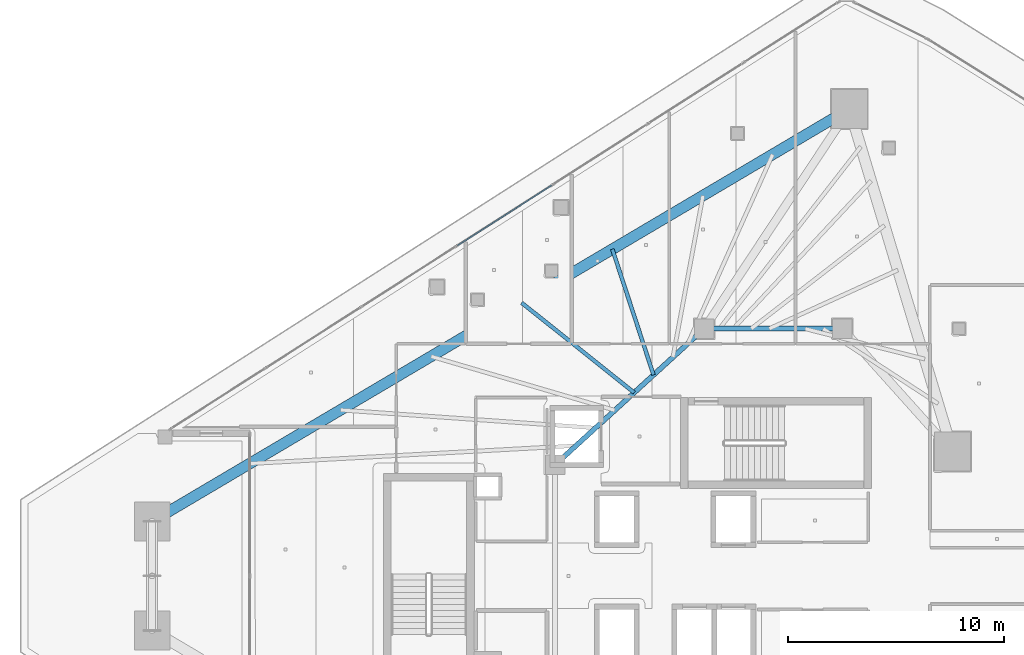
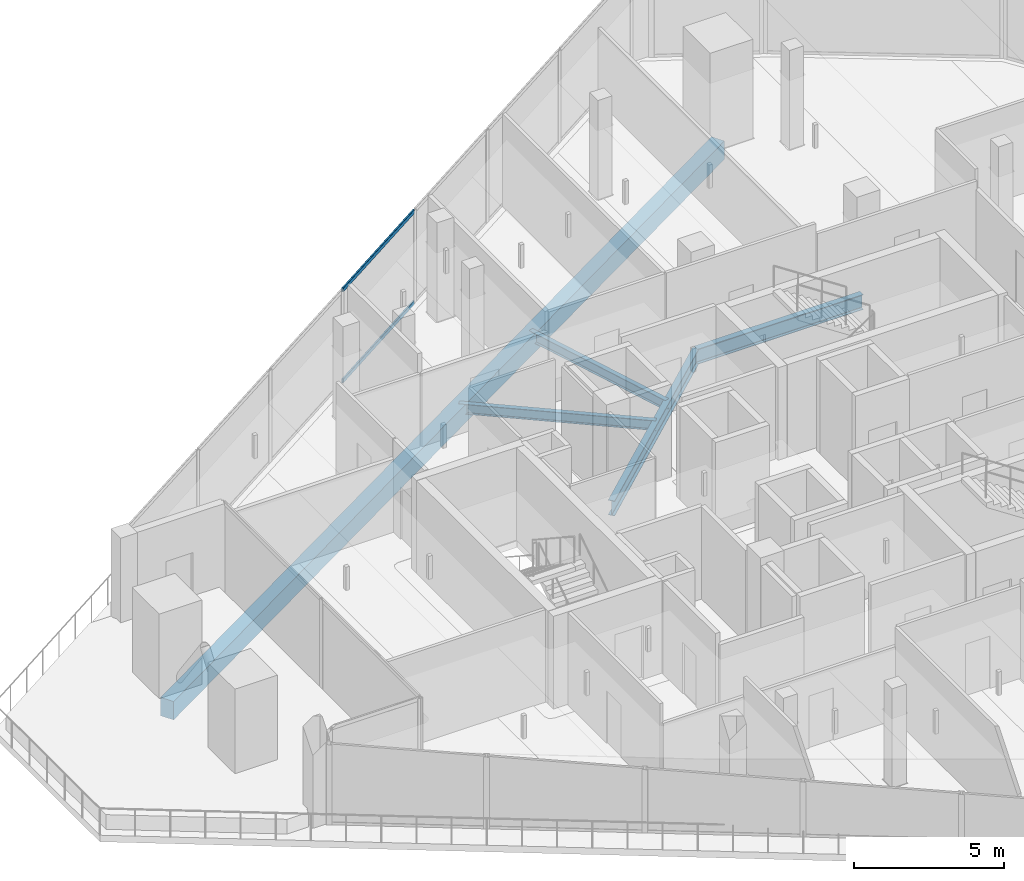
# One storey, part 18 of 36: 5 beams, 2 members, 1 element without a shape of its own.
"""IFC4 building model written with IfcOpenShell, lengths in metres."""

from ifc_helpers import new_model, si_unit, direction, frame, origin, origin_2d, place, context, subcontext, project, spatial, rectangle, hollow_rectangle, i_section, extrude, material, layer, layer_set, material_profile, profile_set, type_object, element, aggregate, save


model = new_model("IFC4")

# Units and contexts
model_context = context("Model", 3, precision=1e-05, world=origin(), true_north=direction((0.0, 1.0)))
body_context = subcontext(model_context, "Body", "Model", "MODEL_VIEW")
ifc_project = project(units=[si_unit("LENGTHUNIT", "METRE"), si_unit("AREAUNIT", "SQUARE_METRE"), si_unit("VOLUMEUNIT", "CUBIC_METRE"), si_unit("PLANEANGLEUNIT", "RADIAN"), si_unit("MASSUNIT", "GRAM", prefix="KILO")], contexts=[model_context])

# Site, building, storey
site_placement = place(None, origin())
site = spatial("IfcSite", under=ifc_project, at=site_placement, CompositionType="ELEMENT")
building_placement = place(site_placement, origin())
building = spatial("IfcBuilding", under=site, at=building_placement, Name="Qorvath Tower", CompositionType="ELEMENT")
storey_placement = place(building_placement, frame((0.0, 0.0, 229.35009765625)))
storey = spatial("IfcBuildingStorey", under=building, at=storey_placement, Name="L53", CompositionType="ELEMENT", Elevation=229.35009765625)

# Beams
ifc_material_1 = material(Name="Steel ASTM A992 Grade 50", Category="steel")
ifc_material_profile_1 = material_profile(ifc_material_1, i_section(OverallWidth=0.22998046875, OverallDepth=0.616943359375, WebThickness=0.01318359375, FlangeThickness=0.022216796875, FilletRadius=0.014892578125, at=origin_2d()), Name="W24x94")
ifc_profile_set_1 = profile_set([ifc_material_profile_1], Name="Steel ASTM A992 Grade 50")
beam_type_1 = type_object("IfcBeamType", Name="BM-FG6", PredefinedType="BEAM", material=ifc_profile_set_1)
beam_1_placement = place(storey_placement, frame((-23.60009765625, 11.449951171875, -0.57861328125), z_axis=(1.0, 0.0, 0.0), x_axis=(0.0, 1.0, 0.0)))
element("IfcBeam", 1, at=beam_1_placement, inside=storey, type_object=beam_type_1, Name="Core Ring Girder CC1-CC2 L53", PredefinedType="BEAM", context=body_context, shape_type="SweptSolid", body=[
    extrude(i_section(OverallWidth=0.22998046875, OverallDepth=0.616943359375, WebThickness=0.01318359375, FlangeThickness=0.022216796875, FilletRadius=0.014892578125, at=origin_2d()), origin(), (0.0, 0.0, 1.0), 6.400146484375),
])
beam_2_placement = place(storey_placement, frame((-30.5, 5.14990234375, -0.57861328125), z_axis=(0.73847813985, 0.6742774184, 0.0), x_axis=(-0.6742774184, 0.73847813985, 0.0)))
element("IfcBeam", 2, at=beam_2_placement, inside=storey, type_object=beam_type_1, Name="Core Ring Girder CC5-CC1 L53", PredefinedType="BEAM", context=body_context, shape_type="SweptSolid", body=[
    extrude(i_section(OverallWidth=0.22998046875, OverallDepth=0.616943359375, WebThickness=0.01318359375, FlangeThickness=0.022216796875, FilletRadius=0.014892578125, at=origin_2d()), origin(), (0.0, 0.0, 1.0), 9.343505859375),
])
ifc_material_2 = material(Name="Steel ASTM A992 Grade 50", Category="steel")
ifc_material_profile_2 = material_profile(ifc_material_2, i_section(OverallWidth=0.177978515625, OverallDepth=0.406005859375, WebThickness=0.0078125, FlangeThickness=0.0126953125, FilletRadius=0.010986328125, at=origin_2d()), Name="W16x40")
ifc_profile_set_2 = profile_set([ifc_material_profile_2], Name="Steel ASTM A992 Grade 50")
beam_type_2 = type_object("IfcBeamType", Name="BM-FJ3", PredefinedType="JOIST", material=ifc_profile_set_2)
beam_3_placement = place(storey_placement, frame((-26.843017578125, 8.489013671875, -0.472900390625), z_axis=(-0.781336553339, 0.624109918537, 0.0), x_axis=(-0.624109918537, -0.781336553339, 0.0)))
element("IfcBeam", 3, at=beam_3_placement, inside=storey, type_object=beam_type_2, Name="Composite Floor Joist NW4 L53", PredefinedType="JOIST", context=body_context, shape_type="SweptSolid", body=[
    extrude(i_section(OverallWidth=0.177978515625, OverallDepth=0.406005859375, WebThickness=0.0078125, FlangeThickness=0.0126953125, FilletRadius=0.010986328125, at=origin_2d()), origin(), (0.0, 0.0, 1.0), 6.667724609375),
])
beam_4_placement = place(storey_placement, frame((-25.946044921875, 9.30810546875, -0.472900390625), z_axis=(-0.311228747452, 0.950335028692, 0.0), x_axis=(-0.950335028692, -0.311228747452, 0.0)))
element("IfcBeam", 4, at=beam_4_placement, inside=storey, type_object=beam_type_2, Name="Composite Floor Joist NW5 L53", PredefinedType="JOIST", context=body_context, shape_type="SweptSolid", body=[
    extrude(i_section(OverallWidth=0.177978515625, OverallDepth=0.406005859375, WebThickness=0.0078125, FlangeThickness=0.0126953125, FilletRadius=0.010986328125, at=origin_2d()), origin(), (0.0, 0.0, 1.0), 6.129638671875),
])
ifc_material_3 = material(Name="Concrete C45/55", Category="concrete")
ifc_material_profile_3 = material_profile(ifc_material_3, rectangle(XDim=0.5, YDim=0.75, at=origin_2d()), Name="RCB 750x500")
ifc_profile_set_3 = profile_set([ifc_material_profile_3], Name="Concrete C45/55")
beam_type_3 = type_object("IfcBeamType", Name="BM-RCB3", PredefinedType="SPANDREL", material=ifc_profile_set_3)
beam_5_placement = place(storey_placement, frame((-16.87158203125, 21.627197265625, -0.64501953125), z_axis=(-0.860776759786, -0.50898268125, 0.0), x_axis=(0.50898268125, -0.860776759786, 0.0)))
element("IfcBeam", 5, at=beam_5_placement, inside=storey, type_object=beam_type_3, Name="Perimeter Loggia Frame Beam MC6-MC1 L53", PredefinedType="SPANDREL", context=body_context, shape_type="SweptSolid", body=[
    extrude(rectangle(XDim=0.5, YDim=0.75, at=origin_2d()), origin(), (0.0, 0.0, 1.0), 37.524658203125),
])

# Curtain wall, members
ifc_material_4 = material(Name="Anodised aluminium and triple low-E glass", Category="aluminium")
ifc_layer = layer(ifc_material_4, 0.179931640625)
ifc_layer_set = layer_set([ifc_layer], Name="CW-SYS-5")
curtain_wall_type = type_object("IfcCurtainWallType", Name="CW-SYS-5", PredefinedType="NOTDEFINED", material=ifc_layer_set)
curtain_wall_placement = place(storey_placement, origin())
curtain_wall = element("IfcCurtainWall", 6, at=curtain_wall_placement, inside=storey, type_object=curtain_wall_type, Name="Curtain Wall CW-5 CW-T-L53-18.1", PredefinedType="NOTDEFINED")
ifc_material_5 = material(Name="Anodised aluminium 6063-T6", Category="aluminium")
ifc_material_profile_4 = material_profile(ifc_material_5, hollow_rectangle(XDim=0.06494140625, YDim=0.159912109375, WallThickness=0.00341796875, InnerFilletRadius=0.00341796875, OuterFilletRadius=0.007080078125, at=origin_2d()), Name="CWT 160x65")
ifc_profile_set_4 = profile_set([ifc_material_profile_4], Name="Anodised aluminium 6063-T6")
member_type = type_object("IfcMemberType", Name="CWT-160", PredefinedType="USERDEFINED", material=ifc_profile_set_4)
member_1_placement = place(storey_placement, frame((-30.662353515625, 18.0908203125, 0.032470703125), z_axis=(-0.842629113093, -0.538494361872, 0.0), x_axis=(0.538494361872, -0.842629113093, 0.0)))
member_1 = element("IfcMember", 7, at=member_1_placement, type_object=member_type, Name="CW-5 transom 4.1", ObjectType="TRANSOM", PredefinedType="USERDEFINED", context=body_context, shape_type="SweptSolid", body=[
    extrude(hollow_rectangle(XDim=0.06494140625, YDim=0.159912109375, WallThickness=0.00341796875, InnerFilletRadius=0.00341796875, OuterFilletRadius=0.007080078125, at=origin_2d()), origin(), (0.0, 0.0, 1.0), 5.178466796875),
])
member_2_placement = place(storey_placement, frame((-30.662353515625, 18.0908203125, 3.747314453125), z_axis=(-0.842629113093, -0.538494361872, 0.0), x_axis=(0.538494361872, -0.842629113093, 0.0)))
member_2 = element("IfcMember", 8, at=member_2_placement, type_object=member_type, Name="CW-5 transom 4.2", ObjectType="TRANSOM", PredefinedType="USERDEFINED", context=body_context, shape_type="SweptSolid", body=[
    extrude(hollow_rectangle(XDim=0.06494140625, YDim=0.159912109375, WallThickness=0.00341796875, InnerFilletRadius=0.00341796875, OuterFilletRadius=0.007080078125, at=origin_2d()), origin(), (0.0, 0.0, 1.0), 5.178466796875),
])
aggregate(curtain_wall, [member_1, member_2])

save(model, "model.ifc")
